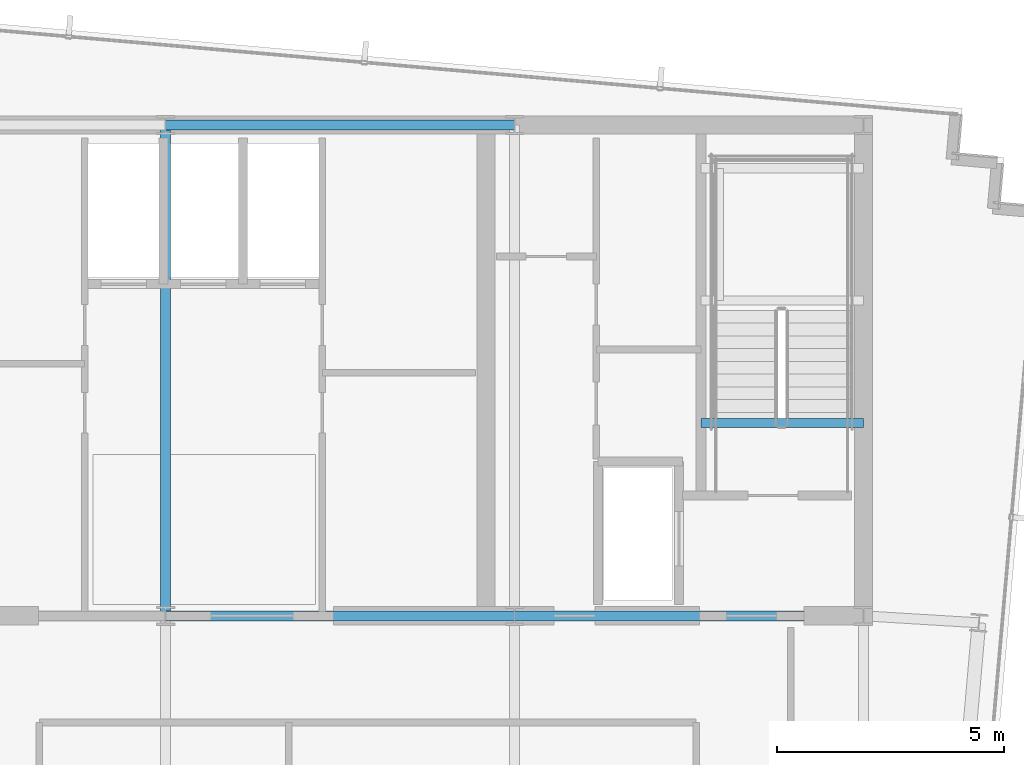
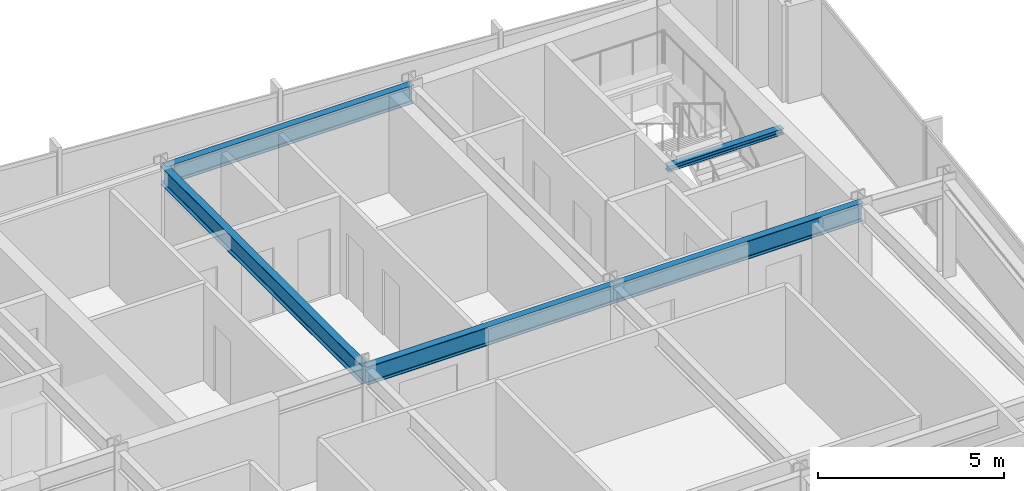
# One storey, part 18 of 33: 5 beams.
"""IFC4 building model written with IfcOpenShell, lengths in metres."""

from ifc_helpers import new_model, si_unit, direction, frame, origin, origin_2d, place, context, subcontext, project, spatial, i_section, extrude, material, material_profile, profile_set, type_object, element, save


model = new_model("IFC4")

# Units and contexts
model_context = context("Model", 3, precision=1e-05, world=origin(), true_north=direction((0.0, 1.0)))
body_context = subcontext(model_context, "Body", "Model", "MODEL_VIEW")
ifc_project = project(units=[si_unit("LENGTHUNIT", "METRE"), si_unit("AREAUNIT", "SQUARE_METRE"), si_unit("VOLUMEUNIT", "CUBIC_METRE"), si_unit("PLANEANGLEUNIT", "RADIAN"), si_unit("MASSUNIT", "GRAM", prefix="KILO")], contexts=[model_context])

# Site, building, storey
site_placement = place(None, origin())
site = spatial("IfcSite", under=ifc_project, at=site_placement, CompositionType="ELEMENT")
building_placement = place(site_placement, origin())
building = spatial("IfcBuilding", under=site, at=building_placement, Name="Yelkora Congress Tower", CompositionType="ELEMENT")
storey_placement = place(building_placement, frame((0.0, 0.0, 282.89990234375)))
storey = spatial("IfcBuildingStorey", under=building, at=storey_placement, Name="L79", CompositionType="ELEMENT", Elevation=282.89990234375)

# Beams
ifc_material = material(Name="Steel S355J2", Category="steel")
ifc_material_profile_1 = material_profile(ifc_material, i_section(OverallWidth=0.219970703125, OverallDepth=0.60009765625, WebThickness=0.011962890625, FlangeThickness=0.01904296875, FilletRadius=0.02392578125, at=origin_2d()), Name="IPE 600")
ifc_profile_set_1 = profile_set([ifc_material_profile_1], Name="Steel S355J2")
beam_type_1 = type_object("IfcBeamType", Name="BM-GIRD-IPE600", PredefinedType="BEAM", material=ifc_profile_set_1)
for number, where, z_axis, x_axis, name in (
    (1, (38.39990234375, 46.199951171875, 2.880126953125), (1.0, 0.0, 0.0), (0.0, 1.0, 0.0), "L79 Core North Girder 3"),
    (2, (38.39990234375, 35.39990234375, 2.880126953125), (1.0, 0.0, 0.0), (0.0, 1.0, 0.0), "L79 Core South Girder 3"),
):
    element("IfcBeam", number, at=place(storey_placement, frame(where, z_axis=z_axis, x_axis=x_axis)), inside=storey, type_object=beam_type_1, Name=name, PredefinedType="BEAM", context=body_context, shape_type="SweptSolid", body=[
        extrude(i_section(OverallWidth=0.219970703125, OverallDepth=0.60009765625, WebThickness=0.011962890625, FlangeThickness=0.01904296875, FilletRadius=0.02392578125, at=origin_2d()), origin(), (0.0, 0.0, 1.0), 7.68017578125),
    ])
beam_1_placement = place(storey_placement, frame((46.080078125, 35.39990234375, 2.880126953125), z_axis=(1.0, 0.0, 0.0), x_axis=(0.0, 1.0, 0.0)))
element("IfcBeam", 3, at=beam_1_placement, inside=storey, type_object=beam_type_1, Name="L79 Core South Girder 4", PredefinedType="BEAM", context=body_context, shape_type="SweptSolid", body=[
    extrude(i_section(OverallWidth=0.219970703125, OverallDepth=0.60009765625, WebThickness=0.011962890625, FlangeThickness=0.01904296875, FilletRadius=0.02392578125, at=origin_2d()), origin(), (0.0, 0.0, 1.0), 7.679931640625),
])
beam_2_placement = place(storey_placement, frame((38.39990234375, 35.39990234375, 2.880126953125), z_axis=(0.0, 1.0, 0.0), x_axis=(-1.0, 0.0, 0.0)))
element("IfcBeam", 4, at=beam_2_placement, inside=storey, type_object=beam_type_1, Name="L79 Core Tie Girder MC-S3", PredefinedType="BEAM", context=body_context, shape_type="SweptSolid", body=[
    extrude(i_section(OverallWidth=0.219970703125, OverallDepth=0.60009765625, WebThickness=0.011962890625, FlangeThickness=0.01904296875, FilletRadius=0.02392578125, at=origin_2d()), origin(), (0.0, 0.0, 1.0), 10.800048828125),
])
ifc_material_profile_2 = material_profile(ifc_material, i_section(OverallWidth=0.199951171875, OverallDepth=0.18994140625, WebThickness=0.006591796875, FlangeThickness=0.010009765625, FilletRadius=0.01806640625, at=origin_2d()), Name="HEA 200")
ifc_profile_set_2 = profile_set([ifc_material_profile_2], Name="Steel S355J2")
beam_type_2 = type_object("IfcBeamType", Name="BM-LAND-HEA200", PredefinedType="BEAM", material=ifc_profile_set_2)
beam_3_placement = place(storey_placement, frame((50.179931640625, 39.639892578125, 2.947509765625), z_axis=(1.0, 0.0, 0.0), x_axis=(0.0, 1.0, 0.0)))
element("IfcBeam", 5, at=beam_3_placement, inside=storey, type_object=beam_type_2, Name="ST-02 L79 Floor Arrival Stringer Header Beam", PredefinedType="BEAM", context=body_context, shape_type="SweptSolid", body=[
    extrude(i_section(OverallWidth=0.199951171875, OverallDepth=0.18994140625, WebThickness=0.006591796875, FlangeThickness=0.010009765625, FilletRadius=0.01806640625, at=origin_2d()), origin(), (0.0, 0.0, 1.0), 3.580078125),
])

save(model, "model.ifc")
